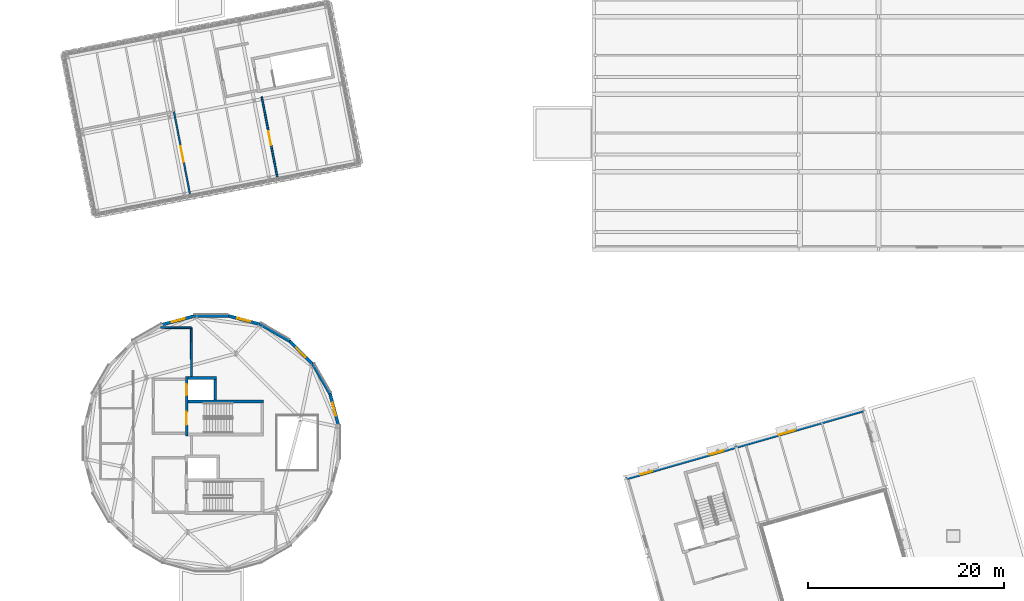
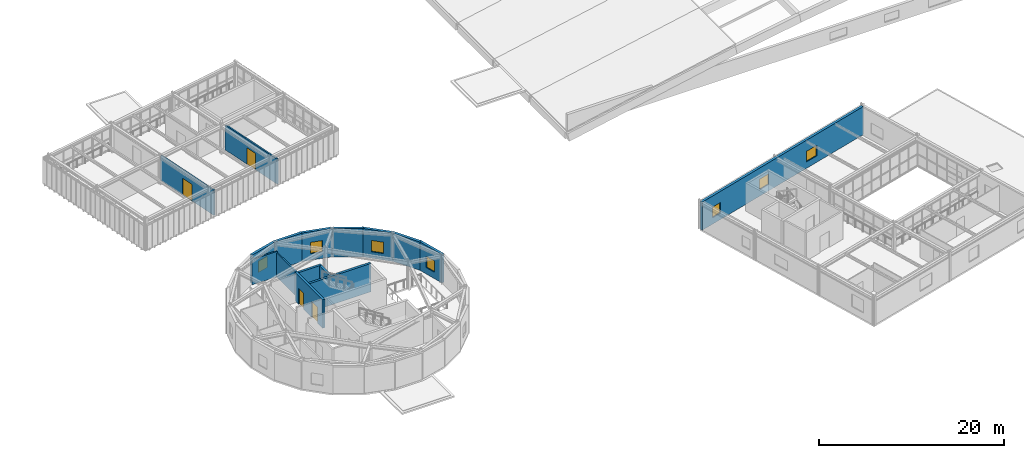
# One storey, part 29 of 44: 16 walls, 7 windows, 4 doors, 11 openings.
"""IFC4 building model written with IfcOpenShell, lengths in metres."""

from ifc_helpers import new_model, si_unit, direction, frame, frame_2d, origin, place, context, subcontext, project, spatial, rectangle, extrude, material, layer, layer_set, type_object, element, fill, save


model = new_model("IFC4")

# Units and contexts
model_context = context("Model", 3, precision=1e-05, world=origin(), true_north=direction((0.0, 1.0)))
body_context = subcontext(model_context, "Body", "Model", "MODEL_VIEW")
ifc_project = project(units=[si_unit("LENGTHUNIT", "METRE"), si_unit("AREAUNIT", "SQUARE_METRE"), si_unit("VOLUMEUNIT", "CUBIC_METRE"), si_unit("PLANEANGLEUNIT", "RADIAN"), si_unit("MASSUNIT", "GRAM", prefix="KILO")], contexts=[model_context])

# Site, building, storey
site_placement = place(None, origin())
site = spatial("IfcSite", under=ifc_project, at=site_placement, CompositionType="ELEMENT")
building_placement = place(site_placement, origin())
building = spatial("IfcBuilding", under=site, at=building_placement, Name="Varnklinge Art Gallery", CompositionType="ELEMENT")
storey_placement = place(building_placement, frame((0.0, 0.0, 13.679931640625)))
storey = spatial("IfcBuildingStorey", under=building, at=storey_placement, Name="L03", CompositionType="ELEMENT", Elevation=13.679931640625)

# Wall, opening, window
ifc_material_1 = material(Name="Precast concrete C40/50", Category="concrete")
ifc_layer_1 = layer(ifc_material_1, 0.320068359375)
ifc_layer_set_1 = layer_set([ifc_layer_1], Name="Precast concrete C40/50")
wall_type_1 = type_object("IfcWallType", Name="EW-32", PredefinedType="SOLIDWALL", material=ifc_layer_set_1)
wall_1_placement = place(storey_placement, frame((70.35595703125, 50.504638671875, 0.0), z_axis=(0.0, 0.0, 1.0), x_axis=(0.965922669003, 0.258830827966, 0.0)))
wall_1 = element("IfcWall", 1, at=wall_1_placement, inside=storey, type_object=wall_type_1, Name="L03 Exterior Wall EW-V4D-L03-18", PredefinedType="SOLIDWALL", context=body_context, shape_type="SweptSolid", body=[
    extrude(rectangle(XDim=3.5634765625, YDim=0.320068359375, at=frame_2d((1.78173828125, 0.0))), origin(), (0.0, 0.0, 1.0), 3.760009765625),
])
opening_1_placement = place(wall_1_placement, frame((1.10693359375, 0.0, 0.85009765625)))
opening_1 = element("IfcOpeningElement", 2, at=opening_1_placement, cuts=wall_1, Name="Opening WN-02", PredefinedType="OPENING", context=body_context, shape_type="SweptSolid", body=[
    extrude(rectangle(XDim=1.35009765625, YDim=1.5, at=frame_2d((0.675048828125, 0.75))), frame((0.0, 0.170166015625, 0.0), z_axis=(0.0, -1.0, 0.0), x_axis=(1.0, 0.0, 0.0)), (0.0, 0.0, 1.0), 0.340087890625),
])
ifc_material_2 = material(Name="Insulated Low-E Triple Glazing", Category="glass")
window_type_1 = type_object("IfcWindowType", Name="WN-02", PartitioningType="SINGLE_PANEL", PredefinedType="WINDOW", material=ifc_material_2)
window_1_placement = place(opening_1_placement, origin())
window_1 = element("IfcWindow", 3, at=window_1_placement, inside=storey, type_object=window_type_1, Name="L03 Window WIN-L03-102", OverallHeight=1.5, OverallWidth=1.35009765625, PartitioningType="SINGLE_PANEL", PredefinedType="WINDOW", context=body_context, shape_type="SweptSolid", body=[
    extrude(rectangle(XDim=1.35009765625, YDim=1.5, at=frame_2d((0.675048828125, 0.75))), frame((0.0, 0.030029296875, 0.0), z_axis=(0.0, -1.0, 0.0), x_axis=(1.0, 0.0, 0.0)), (0.0, 0.0, 1.0), 0.06005859375),
])
fill(opening_1, window_1)

# Wall
wall_2_placement = place(storey_placement, frame((73.63818359375, 51.427001953125, 0.0), z_axis=(0.0, 0.0, 1.0), x_axis=(1.0, 0.0, 0.0)))
element("IfcWall", 4, at=wall_2_placement, inside=storey, type_object=wall_type_1, Name="L03 Exterior Wall EW-V4D-L03-19", PredefinedType="SOLIDWALL", context=body_context, shape_type="SweptSolid", body=[
    extrude(rectangle(XDim=3.563720703125, YDim=0.320068359375, at=frame_2d((1.78173828125, 0.0))), origin(), (0.0, 0.0, 1.0), 3.760009765625),
])

# Wall, opening, window
wall_3_placement = place(storey_placement, frame((77.04736328125, 51.468505859375, 0.0), z_axis=(0.0, 0.0, 1.0), x_axis=(0.965922669003, -0.258830827966, 0.0)))
wall_3 = element("IfcWall", 5, at=wall_3_placement, inside=storey, type_object=wall_type_1, Name="L03 Exterior Wall EW-V4D-L03-20", PredefinedType="SOLIDWALL", context=body_context, shape_type="SweptSolid", body=[
    extrude(rectangle(XDim=3.5634765625, YDim=0.320068359375, at=frame_2d((1.78173828125, 0.0))), origin(), (0.0, 0.0, 1.0), 3.760009765625),
])
opening_2_placement = place(wall_3_placement, frame((1.10693359375, 0.0, 0.85009765625)))
opening_2 = element("IfcOpeningElement", 6, at=opening_2_placement, cuts=wall_3, Name="Opening WN-02", PredefinedType="OPENING", context=body_context, shape_type="SweptSolid", body=[
    extrude(rectangle(XDim=1.35009765625, YDim=1.5, at=frame_2d((0.675048828125, 0.75))), frame((0.0, 0.170166015625, 0.0), z_axis=(0.0, -1.0, 0.0), x_axis=(1.0, 0.0, 0.0)), (0.0, 0.0, 1.0), 0.340087890625),
])
window_2_placement = place(opening_2_placement, origin())
window_2 = element("IfcWindow", 7, at=window_2_placement, inside=storey, type_object=window_type_1, Name="L03 Window WIN-L03-103", OverallHeight=1.5, OverallWidth=1.35009765625, PartitioningType="SINGLE_PANEL", PredefinedType="WINDOW", context=body_context, shape_type="SweptSolid", body=[
    extrude(rectangle(XDim=1.35009765625, YDim=1.5, at=frame_2d((0.675048828125, 0.75))), frame((0.0, 0.030029296875, 0.0), z_axis=(0.0, -1.0, 0.0), x_axis=(1.0, 0.0, 0.0)), (0.0, 0.0, 1.0), 0.06005859375),
])
fill(opening_2, window_2)

# Wall
wall_4_placement = place(storey_placement, frame((80.35107421875, 50.626220703125, 0.0), z_axis=(0.0, 0.0, 1.0), x_axis=(0.866021313335, -0.500007084799, 0.0)))
element("IfcWall", 8, at=wall_4_placement, inside=storey, type_object=wall_type_1, Name="L03 Exterior Wall EW-V4D-L03-21", PredefinedType="SOLIDWALL", context=body_context, shape_type="SweptSolid", body=[
    extrude(rectangle(XDim=3.56396484375, YDim=0.320068359375, at=frame_2d((1.781982421875, 0.0))), origin(), (0.0, 0.0, 1.0), 3.760009765625),
])

# Wall, opening, window
wall_5_placement = place(storey_placement, frame((83.324462890625, 48.95751953125, 0.0), z_axis=(0.0, 0.0, 1.0), x_axis=(0.707072526286, -0.707141034428, 0.0)))
wall_5 = element("IfcWall", 9, at=wall_5_placement, inside=storey, type_object=wall_type_1, Name="L03 Exterior Wall EW-V4D-L03-22", PredefinedType="SOLIDWALL", context=body_context, shape_type="SweptSolid", body=[
    extrude(rectangle(XDim=3.563720703125, YDim=0.320068359375, at=frame_2d((1.78173828125, 0.0))), origin(), (0.0, 0.0, 1.0), 3.760009765625),
])
opening_3_placement = place(wall_5_placement, frame((1.106689453125, 0.0, 0.85009765625)))
opening_3 = element("IfcOpeningElement", 10, at=opening_3_placement, cuts=wall_5, Name="Opening WN-02", PredefinedType="OPENING", context=body_context, shape_type="SweptSolid", body=[
    extrude(rectangle(XDim=1.35009765625, YDim=1.5, at=frame_2d((0.675048828125, 0.75))), frame((0.0, 0.170166015625, 0.0), z_axis=(0.0, -1.0, 0.0), x_axis=(1.0, 0.0, 0.0)), (0.0, 0.0, 1.0), 0.340087890625),
])
window_3_placement = place(opening_3_placement, origin())
window_3 = element("IfcWindow", 11, at=window_3_placement, inside=storey, type_object=window_type_1, Name="L03 Window WIN-L03-104", OverallHeight=1.5, OverallWidth=1.35009765625, PartitioningType="SINGLE_PANEL", PredefinedType="WINDOW", context=body_context, shape_type="SweptSolid", body=[
    extrude(rectangle(XDim=1.35009765625, YDim=1.5, at=frame_2d((0.675048828125, 0.75))), frame((0.0, 0.030029296875, 0.0), z_axis=(0.0, -1.0, 0.0), x_axis=(1.0, 0.0, 0.0)), (0.0, 0.0, 1.0), 0.06005859375),
])
fill(opening_3, window_3)

# Wall
wall_6_placement = place(storey_placement, frame((85.764404296875, 46.576171875, 0.0), z_axis=(0.0, 0.0, 1.0), x_axis=(0.499926044331, -0.8660680979, 0.0)))
element("IfcWall", 12, at=wall_6_placement, inside=storey, type_object=wall_type_1, Name="L03 Exterior Wall EW-V4D-L03-23", PredefinedType="SOLIDWALL", context=body_context, shape_type="SweptSolid", body=[
    extrude(rectangle(XDim=3.56396484375, YDim=0.320068359375, at=frame_2d((1.781982421875, 0.0))), origin(), (0.0, 0.0, 1.0), 3.760009765625),
])

# Wall, opening, window
wall_7_placement = place(storey_placement, frame((87.504638671875, 43.64404296875, 0.0), z_axis=(0.0, 0.0, 1.0), x_axis=(0.258830827966, -0.965922669003, 0.0)))
wall_7 = element("IfcWall", 13, at=wall_7_placement, inside=storey, type_object=wall_type_1, Name="L03 Exterior Wall EW-V4D-L03-24", PredefinedType="SOLIDWALL", context=body_context, shape_type="SweptSolid", body=[
    extrude(rectangle(XDim=3.5634765625, YDim=0.320068359375, at=frame_2d((1.78173828125, 0.0))), origin(), (0.0, 0.0, 1.0), 3.760009765625),
])
opening_4_placement = place(wall_7_placement, frame((1.10693359375, 0.0, 0.85009765625)))
opening_4 = element("IfcOpeningElement", 14, at=opening_4_placement, cuts=wall_7, Name="Opening WN-02", PredefinedType="OPENING", context=body_context, shape_type="SweptSolid", body=[
    extrude(rectangle(XDim=1.35009765625, YDim=1.5, at=frame_2d((0.675048828125, 0.75))), frame((0.0, 0.170166015625, 0.0), z_axis=(0.0, -1.0, 0.0), x_axis=(1.0, 0.0, 0.0)), (0.0, 0.0, 1.0), 0.340087890625),
])
window_4_placement = place(opening_4_placement, origin())
window_4 = element("IfcWindow", 15, at=window_4_placement, inside=storey, type_object=window_type_1, Name="L03 Window WIN-L03-105", OverallHeight=1.5, OverallWidth=1.35009765625, PartitioningType="SINGLE_PANEL", PredefinedType="WINDOW", context=body_context, shape_type="SweptSolid", body=[
    extrude(rectangle(XDim=1.35009765625, YDim=1.5, at=frame_2d((0.675048828125, 0.75))), frame((0.0, 0.030029296875, 0.0), z_axis=(0.0, -1.0, 0.0), x_axis=(1.0, 0.0, 0.0)), (0.0, 0.0, 1.0), 0.06005859375),
])
fill(opening_4, window_4)

# Wall, openings, windows
wall_8_placement = place(storey_placement, frame((117.64990234375, 34.83935546875, 0.0), z_axis=(0.0, 0.0, 1.0), x_axis=(0.961259650982, 0.275644487326, 0.0)))
wall_8 = element("IfcWall", 16, at=wall_8_placement, inside=storey, type_object=wall_type_1, Name="L03 Exterior Wall EW-V6-L03-02", PredefinedType="SOLIDWALL", context=body_context, shape_type="SweptSolid", body=[
    extrude(rectangle(XDim=25.139892578125, YDim=0.320068359375, at=frame_2d((12.56982421875, 0.0))), origin(), (0.0, 0.0, 1.0), 3.719970703125),
])
opening_5_placement = place(wall_8_placement, frame((1.60009765625, 0.0, 0.85009765625)))
opening_5 = element("IfcOpeningElement", 17, at=opening_5_placement, cuts=wall_8, Name="Opening WN-21", PredefinedType="OPENING", context=body_context, shape_type="SweptSolid", body=[
    extrude(rectangle(XDim=1.199951171875, YDim=1.39990234375, at=frame_2d((0.60009765625, 0.699951171875))), frame((0.0, 0.170166015625, 0.0), z_axis=(0.0, -1.0, 0.0), x_axis=(1.0, 0.0, 0.0)), (0.0, 0.0, 1.0), 0.340087890625),
])
opening_6_placement = place(wall_8_placement, frame((8.913330078125, 0.0, 0.85009765625)))
opening_6 = element("IfcOpeningElement", 18, at=opening_6_placement, cuts=wall_8, Name="Opening WN-22", PredefinedType="OPENING", context=body_context, shape_type="SweptSolid", body=[
    extrude(rectangle(XDim=1.449951171875, YDim=1.39990234375, at=frame_2d((0.72509765625, 0.699951171875))), frame((0.0, 0.170166015625, 0.0), z_axis=(0.0, -1.0, 0.0), x_axis=(1.0, 0.0, 0.0)), (0.0, 0.0, 1.0), 0.340087890625),
])
opening_7_placement = place(wall_8_placement, frame((16.226806640625, 0.0, 0.85009765625)))
opening_7 = element("IfcOpeningElement", 19, at=opening_7_placement, cuts=wall_8, Name="Opening WN-23", PredefinedType="OPENING", context=body_context, shape_type="SweptSolid", body=[
    extrude(rectangle(XDim=1.64990234375, YDim=1.39990234375, at=frame_2d((0.824951171875, 0.699951171875))), frame((0.0, 0.170166015625, 0.0), z_axis=(0.0, -1.0, 0.0), x_axis=(1.0, 0.0, 0.0)), (0.0, 0.0, 1.0), 0.340087890625),
])
ifc_material_3 = material(Name="Insulated Low-E Triple Glazing", Category="glass")
window_type_2 = type_object("IfcWindowType", Name="WN-21", PartitioningType="SINGLE_PANEL", PredefinedType="WINDOW", material=ifc_material_3)
window_5_placement = place(opening_5_placement, origin())
window_5 = element("IfcWindow", 20, at=window_5_placement, inside=storey, type_object=window_type_2, Name="L03 Window WIN-L03-191", OverallHeight=1.39990234375, OverallWidth=1.199951171875, PartitioningType="SINGLE_PANEL", PredefinedType="WINDOW", context=body_context, shape_type="SweptSolid", body=[
    extrude(rectangle(XDim=1.199951171875, YDim=1.39990234375, at=frame_2d((0.60009765625, 0.699951171875))), frame((0.0, 0.030029296875, 0.0), z_axis=(0.0, -1.0, 0.0), x_axis=(1.0, 0.0, 0.0)), (0.0, 0.0, 1.0), 0.06005859375),
])
fill(opening_5, window_5)
ifc_material_4 = material(Name="Insulated Low-E Triple Glazing", Category="glass")
window_type_3 = type_object("IfcWindowType", Name="WN-22", PartitioningType="SINGLE_PANEL", PredefinedType="WINDOW", material=ifc_material_4)
window_6_placement = place(opening_6_placement, origin())
window_6 = element("IfcWindow", 21, at=window_6_placement, inside=storey, type_object=window_type_3, Name="L03 Window WIN-L03-192", OverallHeight=1.39990234375, OverallWidth=1.449951171875, PartitioningType="SINGLE_PANEL", PredefinedType="WINDOW", context=body_context, shape_type="SweptSolid", body=[
    extrude(rectangle(XDim=1.449951171875, YDim=1.39990234375, at=frame_2d((0.72509765625, 0.699951171875))), frame((0.0, 0.030029296875, 0.0), z_axis=(0.0, -1.0, 0.0), x_axis=(1.0, 0.0, 0.0)), (0.0, 0.0, 1.0), 0.06005859375),
])
fill(opening_6, window_6)
ifc_material_5 = material(Name="Insulated Low-E Triple Glazing", Category="glass")
window_type_4 = type_object("IfcWindowType", Name="WN-23", PartitioningType="SINGLE_PANEL", PredefinedType="WINDOW", material=ifc_material_5)
window_7_placement = place(opening_7_placement, origin())
window_7 = element("IfcWindow", 22, at=window_7_placement, inside=storey, type_object=window_type_4, Name="L03 Window WIN-L03-193", OverallHeight=1.39990234375, OverallWidth=1.64990234375, PartitioningType="SINGLE_PANEL", PredefinedType="WINDOW", context=body_context, shape_type="SweptSolid", body=[
    extrude(rectangle(XDim=1.64990234375, YDim=1.39990234375, at=frame_2d((0.824951171875, 0.699951171875))), frame((0.0, 0.030029296875, 0.0), z_axis=(0.0, -1.0, 0.0), x_axis=(1.0, 0.0, 0.0)), (0.0, 0.0, 1.0), 0.06005859375),
])
fill(opening_7, window_7)

# Walls
ifc_material_6 = material(Name="Gypsum Board Partition", Category="gypsum")
ifc_layer_2 = layer(ifc_material_6, 0.179931640625)
ifc_layer_set_2 = layer_set([ifc_layer_2], Name="Gypsum Board Partition")
wall_type_2 = type_object("IfcWallType", Name="IW-18", PredefinedType="PARTITIONING", material=ifc_layer_set_2)
wall_9_placement = place(storey_placement, frame((70.291015625, 50.22998046875, 0.0), z_axis=(0.0, 0.0, 1.0), x_axis=(0.999991151038, -0.004206880816, 0.0)))
element("IfcWall", 23, at=wall_9_placement, inside=storey, type_object=wall_type_2, Name="L03 Partition Wall IW-L03-0339", PredefinedType="PARTITIONING", context=body_context, shape_type="SweptSolid", body=[
    extrude(rectangle(XDim=3.1337890625, YDim=0.179931640625, at=frame_2d((1.56689453125, 0.0))), origin(), (0.0, 0.0, 1.0), 3.35009765625),
])
wall_10_placement = place(storey_placement, frame((73.4248046875, 50.216796875, 0.0), z_axis=(0.0, 0.0, 1.0), x_axis=(0.0010330573, -0.999999466396, 0.0)))
element("IfcWall", 24, at=wall_10_placement, inside=storey, type_object=wall_type_2, Name="L03 Partition Wall IW-L03-0340", PredefinedType="PARTITIONING", context=body_context, shape_type="SweptSolid", body=[
    extrude(rectangle(XDim=4.962890625, YDim=0.179931640625, at=frame_2d((2.4814453125, 0.0))), origin(), (0.0, 0.0, 1.0), 3.150146484375),
])

# Wall, opening, door
wall_11_placement = place(storey_placement, frame((73.33349609375, 63.57275390625, 0.0), z_axis=(0.0, 0.0, 1.0), x_axis=(-0.190805940679, 0.981627777216, 0.0)))
wall_11 = element("IfcWall", 25, at=wall_11_placement, inside=storey, type_object=wall_type_2, Name="L03 Partition Wall IW-L03-0344", PredefinedType="PARTITIONING", context=body_context, shape_type="SweptSolid", body=[
    extrude(rectangle(XDim=8.81982421875, YDim=0.179931640625, at=frame_2d((4.409912109375, 0.0))), origin(), (0.0, 0.0, 1.0), 3.300048828125),
])
opening_8_placement = place(wall_11_placement, frame((3.58984375, 0.0, 0.0)))
opening_8 = element("IfcOpeningElement", 26, at=opening_8_placement, cuts=wall_11, Name="Opening D-L03-258", PredefinedType="OPENING", context=body_context, shape_type="SweptSolid", body=[
    extrude(rectangle(XDim=1.639892578125, YDim=2.199951171875, at=frame_2d((0.81982421875, 1.10009765625))), frame((0.0, 0.099853515625, 0.0), z_axis=(0.0, -1.0, 0.0), x_axis=(1.0, 0.0, 0.0)), (0.0, 0.0, 1.0), 0.199951171875),
])
ifc_material_7 = material(Name="Oak Timber Leaf", Category="wood")
door_type_1 = type_object("IfcDoorType", Name="ID-08", OperationType="DOUBLE_DOOR_SINGLE_SWING", PredefinedType="DOOR", material=ifc_material_7)
door_1_placement = place(opening_8_placement, origin())
door_1 = element("IfcDoor", 27, at=door_1_placement, inside=storey, type_object=door_type_1, Name="L03 L03 Lattice Experimental Sculpture Studio Door D-L03-258", OperationType="DOUBLE_DOOR_SINGLE_SWING", OverallHeight=2.199951171875, OverallWidth=1.639892578125, PredefinedType="DOOR", context=body_context, shape_type="SweptSolid", body=[
    extrude(rectangle(XDim=1.639892578125, YDim=2.199951171875, at=frame_2d((0.81982421875, 1.10009765625))), frame((0.0, 0.02490234375, 0.0), z_axis=(0.0, -1.0, 0.0), x_axis=(1.0, 0.0, 0.0)), (0.0, 0.0, 1.0), 0.050048828125),
])
fill(opening_8, door_1)

wall_12_placement = place(storey_placement, frame((80.590087890625, 73.7236328125, 0.0), z_axis=(0.0, 0.0, 1.0), x_axis=(0.190821676148, -0.98162471847, 0.0)))
wall_12 = element("IfcWall", 28, at=wall_12_placement, inside=storey, type_object=wall_type_2, Name="L03 Partition Wall IW-L03-0345", PredefinedType="PARTITIONING", context=body_context, shape_type="SweptSolid", body=[
    extrude(rectangle(XDim=8.579833984375, YDim=0.179931640625, at=frame_2d((4.2900390625, 0.0))), origin(), (0.0, 0.0, 1.0), 3.300048828125),
])
opening_9_placement = place(wall_12_placement, frame((3.580078125, 0.0, 0.0)))
opening_9 = element("IfcOpeningElement", 29, at=opening_9_placement, cuts=wall_12, Name="Opening D-L03-259", PredefinedType="OPENING", context=body_context, shape_type="SweptSolid", body=[
    extrude(rectangle(XDim=1.419921875, YDim=2.179931640625, at=frame_2d((0.7099609375, 1.08984375))), frame((0.0, 0.099853515625, 0.0), z_axis=(0.0, -1.0, 0.0), x_axis=(1.0, 0.0, 0.0)), (0.0, 0.0, 1.0), 0.199951171875),
])
ifc_material_8 = material(Name="Oak Timber Leaf", Category="wood")
door_type_2 = type_object("IfcDoorType", Name="ID-07", OperationType="DOUBLE_DOOR_SINGLE_SWING", PredefinedType="DOOR", material=ifc_material_8)
door_2_placement = place(opening_9_placement, origin())
door_2 = element("IfcDoor", 30, at=door_2_placement, inside=storey, type_object=door_type_2, Name="L03 L03 Lattice Sound Lab Door D-L03-259", OperationType="DOUBLE_DOOR_SINGLE_SWING", OverallHeight=2.179931640625, OverallWidth=1.419921875, PredefinedType="DOOR", context=body_context, shape_type="SweptSolid", body=[
    extrude(rectangle(XDim=1.419921875, YDim=2.179931640625, at=frame_2d((0.7099609375, 1.08984375))), frame((0.0, 0.02490234375, 0.0), z_axis=(0.0, -1.0, 0.0), x_axis=(1.0, 0.0, 0.0)), (0.0, 0.0, 1.0), 0.050048828125),
])
fill(opening_9, door_2)

# Walls
ifc_material_9 = material(Name="Concrete C40/50", Category="concrete")
ifc_layer_3 = layer(ifc_material_9, 0.280029296875)
ifc_layer_set_3 = layer_set([ifc_layer_3], Name="Concrete C40/50")
wall_type_3 = type_object("IfcWallType", Name="SW-28", PredefinedType="SHEAR", material=ifc_layer_set_3)
wall_13_placement = place(storey_placement, frame((80.7900390625, 42.7099609375, 0.0), z_axis=(0.0, 0.0, 1.0), x_axis=(-1.0, 0.0, 0.0)))
element("IfcWall", 31, at=wall_13_placement, inside=storey, type_object=wall_type_3, Name="L03 Core C2 Dividing Shear Wall", PredefinedType="SHEAR", context=body_context, shape_type="SweptSolid", body=[
    extrude(rectangle(XDim=7.699951171875, YDim=0.280029296875, at=frame_2d((3.85009765625, 0.0))), origin(), (0.0, 0.0, 1.0), 3.760009765625),
])
wall_14_placement = place(storey_placement, frame((75.85009765625, 42.85009765625, 0.0), z_axis=(0.0, 0.0, 1.0), x_axis=(0.0, 1.0, 0.0)))
element("IfcWall", 32, at=wall_14_placement, inside=storey, type_object=wall_type_3, Name="L03 Core C2 Lift East Shear Wall", PredefinedType="SHEAR", context=body_context, shape_type="SweptSolid", body=[
    extrude(rectangle(XDim=2.119873046875, YDim=0.280029296875, at=frame_2d((1.06005859375, 0.0))), origin(), (0.0, 0.0, 1.0), 3.760009765625),
])
wall_15_placement = place(storey_placement, frame((75.989990234375, 45.110107421875, 0.0), z_axis=(0.0, 0.0, 1.0), x_axis=(-1.0, 0.0, 0.0)))
element("IfcWall", 33, at=wall_15_placement, inside=storey, type_object=wall_type_3, Name="L03 Core C2 Lift North Shear Wall", PredefinedType="SHEAR", context=body_context, shape_type="SweptSolid", body=[
    extrude(rectangle(XDim=2.89990234375, YDim=0.280029296875, at=frame_2d((1.449951171875, 0.0))), origin(), (0.0, 0.0, 1.0), 3.760009765625),
])

# Wall, openings, doors
wall_16_placement = place(storey_placement, frame((72.949951171875, 45.25, 0.0), z_axis=(0.0, 0.0, 1.0), x_axis=(0.0, -1.0, 0.0)))
wall_16 = element("IfcWall", 34, at=wall_16_placement, inside=storey, type_object=wall_type_3, Name="L03 Core C2 Front Shear Wall", PredefinedType="SHEAR", context=body_context, shape_type="SweptSolid", body=[
    extrude(rectangle(XDim=6.0400390625, YDim=0.280029296875, at=frame_2d((3.02001953125, 0.0))), origin(), (0.0, 0.0, 1.0), 3.760009765625),
])
opening_10_placement = place(wall_16_placement, frame((0.800048828125, 0.0, 0.0)))
opening_10 = element("IfcOpeningElement", 35, at=opening_10_placement, cuts=wall_16, Name="Opening LD-L03-037", PredefinedType="OPENING", context=body_context, shape_type="SweptSolid", body=[
    extrude(rectangle(XDim=1.10009765625, YDim=2.1201171875, at=frame_2d((0.550048828125, 1.06005859375))), frame((0.0, 0.150146484375, 0.0), z_axis=(0.0, -1.0, 0.0), x_axis=(1.0, 0.0, 0.0)), (0.0, 0.0, 1.0), 0.300048828125),
])
opening_11_placement = place(wall_16_placement, frame((3.60009765625, 0.0, 0.0)))
opening_11 = element("IfcOpeningElement", 36, at=opening_11_placement, cuts=wall_16, Name="Opening D-L03-038", PredefinedType="OPENING", context=body_context, shape_type="SweptSolid", body=[
    extrude(rectangle(XDim=1.320068359375, YDim=2.1201171875, at=frame_2d((0.66015625, 1.06005859375))), frame((0.0, 0.150146484375, 0.0), z_axis=(0.0, -1.0, 0.0), x_axis=(1.0, 0.0, 0.0)), (0.0, 0.0, 1.0), 0.300048828125),
])
ifc_material_10 = material(Name="Galvanised Fire-Rated Steel", Category="steel")
door_type_3 = type_object("IfcDoorType", Name="ID-ST1", OperationType="SINGLE_SWING_LEFT", PredefinedType="DOOR", material=ifc_material_10)
door_3_placement = place(opening_11_placement, origin())
door_3 = element("IfcDoor", 37, at=door_3_placement, inside=storey, type_object=door_type_3, Name="L03 Stair ST-02 Fire Door D-L03-038", OperationType="SINGLE_SWING_LEFT", OverallHeight=2.1201171875, OverallWidth=1.320068359375, PredefinedType="DOOR", context=body_context, shape_type="SweptSolid", body=[
    extrude(rectangle(XDim=1.320068359375, YDim=2.1201171875, at=frame_2d((0.66015625, 1.06005859375))), frame((0.0, 0.02490234375, 0.0), z_axis=(0.0, -1.0, 0.0), x_axis=(1.0, 0.0, 0.0)), (0.0, 0.0, 1.0), 0.050048828125),
])
fill(opening_11, door_3)
ifc_material_11 = material(Name="Anodised Aluminium", Category="aluminium")
door_type_4 = type_object("IfcDoorType", Name="LD-PAX", OperationType="SLIDING_TO_LEFT", PredefinedType="DOOR", material=ifc_material_11)
door_4_placement = place(opening_10_placement, origin())
door_4 = element("IfcDoor", 38, at=door_4_placement, inside=storey, type_object=door_type_4, Name="L03 LF-02 Sliding Landing Door LD-L03-037", OperationType="SLIDING_TO_LEFT", OverallHeight=2.1201171875, OverallWidth=1.10009765625, PredefinedType="DOOR", context=body_context, shape_type="SweptSolid", body=[
    extrude(rectangle(XDim=1.10009765625, YDim=2.1201171875, at=frame_2d((0.550048828125, 1.06005859375))), frame((0.0, 0.02490234375, 0.0), z_axis=(0.0, -1.0, 0.0), x_axis=(1.0, 0.0, 0.0)), (0.0, 0.0, 1.0), 0.050048828125),
])
fill(opening_10, door_4)

save(model, "model.ifc")
